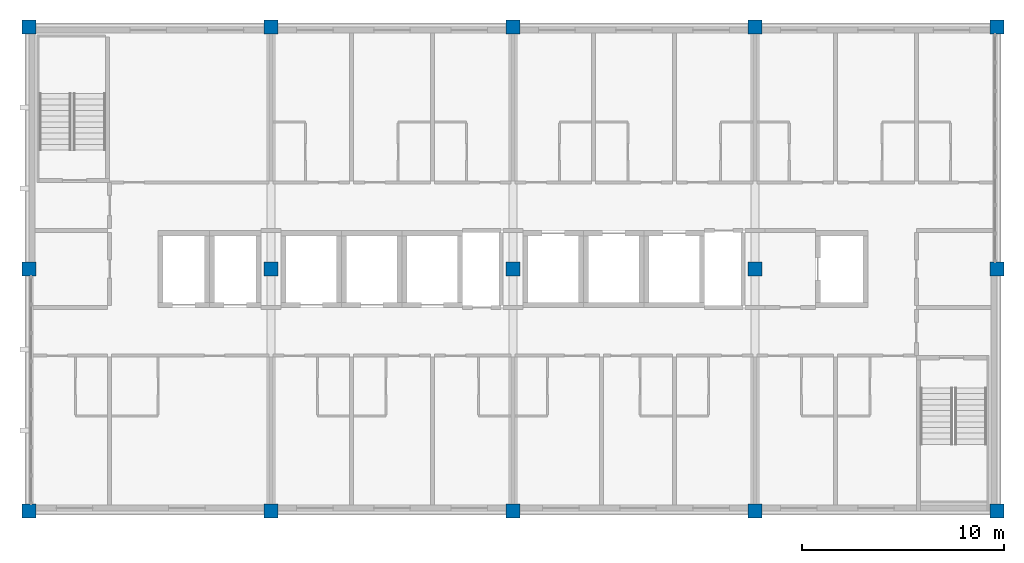
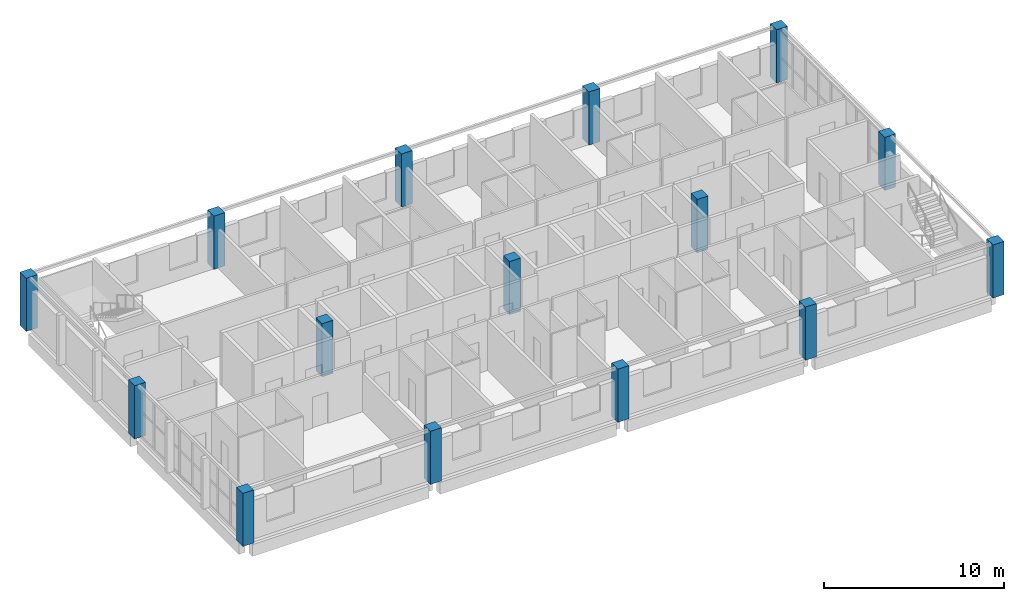
# One storey, part 1 of 11: 15 columns.
"""IFC4 building model written with IfcOpenShell, lengths in metres."""

from ifc_helpers import new_model, si_unit, direction, frame, origin, origin_2d, place, context, subcontext, project, spatial, rectangle, extrude, material, material_profile, profile_set, type_object, element, save


model = new_model("IFC4")

# Units and contexts
model_context = context("Model", 3, precision=1e-05, world=origin(), true_north=direction((0.0, 1.0)))
body_context = subcontext(model_context, "Body", "Model", "MODEL_VIEW")
ifc_project = project(units=[si_unit("LENGTHUNIT", "METRE"), si_unit("AREAUNIT", "SQUARE_METRE"), si_unit("VOLUMEUNIT", "CUBIC_METRE"), si_unit("PLANEANGLEUNIT", "RADIAN"), si_unit("MASSUNIT", "GRAM", prefix="KILO")], contexts=[model_context])

# Site, building, storey
site_placement = place(None, origin())
site = spatial("IfcSite", under=ifc_project, at=site_placement, CompositionType="ELEMENT")
building_placement = place(site_placement, origin())
building = spatial("IfcBuilding", under=site, at=building_placement, Name="Lilac Gate Convention Centre", CompositionType="ELEMENT")
storey_placement = place(building_placement, frame((0.0, 0.0, 57.0)))
storey = spatial("IfcBuildingStorey", under=building, at=storey_placement, Name="L14", CompositionType="ELEMENT", Elevation=57.0)

# Columns
ifc_material = material(Name="Concrete C40", Category="concrete")
ifc_material_profile = material_profile(ifc_material, rectangle(XDim=0.699951171875, YDim=0.699951171875, at=origin_2d()), Name="RC 700x700")
ifc_profile_set = profile_set([ifc_material_profile], Name="Concrete C40")
column_type = type_object("IfcColumnType", Name="RC tower column 700x700 C40", PredefinedType="COLUMN", material=ifc_profile_set)
for number, where, z_axis, x_axis, name in (
    (1, (42.0, 222.0, 0.0), (0.0, 0.0, 1.0), (1.0, 0.0, 0.0), "C7 L14 at 4/S"),
    (2, (42.0, 234.0, 0.0), (0.0, 0.0, 1.0), (1.0, 0.0, 0.0), "C7 L14 at 4/T"),
    (3, (42.0, 246.0, 0.0), (0.0, 0.0, 1.0), (1.0, 0.0, 0.0), "C7 L14 at 4/U"),
    (4, (54.0, 222.0, 0.0), (0.0, 0.0, 1.0), (1.0, 0.0, 0.0), "C7 L14 at 5/S"),
    (5, (54.0, 234.0, 0.0), (0.0, 0.0, 1.0), (1.0, 0.0, 0.0), "C7 L14 at 5/T"),
    (6, (54.0, 246.0, 0.0), (0.0, 0.0, 1.0), (1.0, 0.0, 0.0), "C7 L14 at 5/U"),
    (7, (66.0, 222.0, 0.0), (0.0, 0.0, 1.0), (1.0, 0.0, 0.0), "C7 L14 at 6/S"),
    (8, (66.0, 234.0, 0.0), (0.0, 0.0, 1.0), (1.0, 0.0, 0.0), "C7 L14 at 6/T"),
    (9, (66.0, 246.0, 0.0), (0.0, 0.0, 1.0), (1.0, 0.0, 0.0), "C7 L14 at 6/U"),
    (10, (78.0, 222.0, 0.0), (0.0, 0.0, 1.0), (1.0, 0.0, 0.0), "C7 L14 at 7/S"),
    (11, (78.0, 234.0, 0.0), (0.0, 0.0, 1.0), (1.0, 0.0, 0.0), "C7 L14 at 7/T"),
    (12, (78.0, 246.0, 0.0), (0.0, 0.0, 1.0), (1.0, 0.0, 0.0), "C7 L14 at 7/U"),
    (13, (90.0, 222.0, 0.0), (0.0, 0.0, 1.0), (1.0, 0.0, 0.0), "C7 L14 at 8/S"),
    (14, (90.0, 234.0, 0.0), (0.0, 0.0, 1.0), (1.0, 0.0, 0.0), "C7 L14 at 8/T"),
    (15, (90.0, 246.0, 0.0), (0.0, 0.0, 1.0), (1.0, 0.0, 0.0), "C7 L14 at 8/U"),
):
    element("IfcColumn", number, at=place(storey_placement, frame(where, z_axis=z_axis, x_axis=x_axis)), inside=storey, type_object=column_type, Name=name, PredefinedType="COLUMN", context=body_context, shape_type="SweptSolid", body=[
        extrude(rectangle(XDim=0.699951171875, YDim=0.699951171875, at=origin_2d()), origin(), (0.0, 0.0, 1.0), 3.60009765625),
    ])

save(model, "model.ifc")
